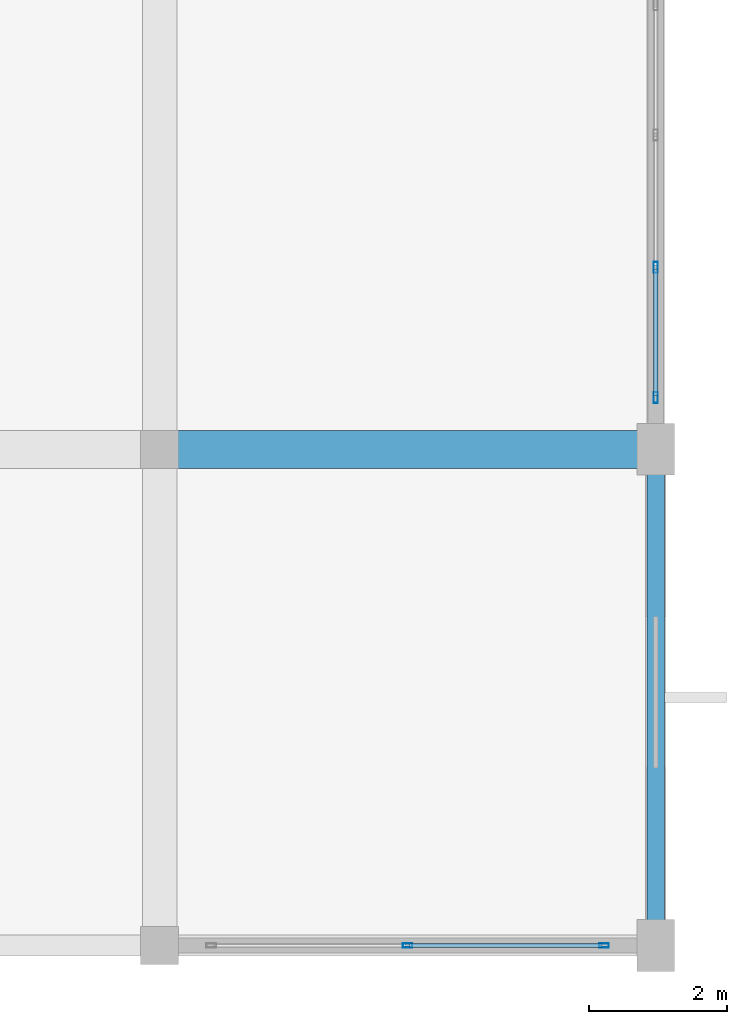
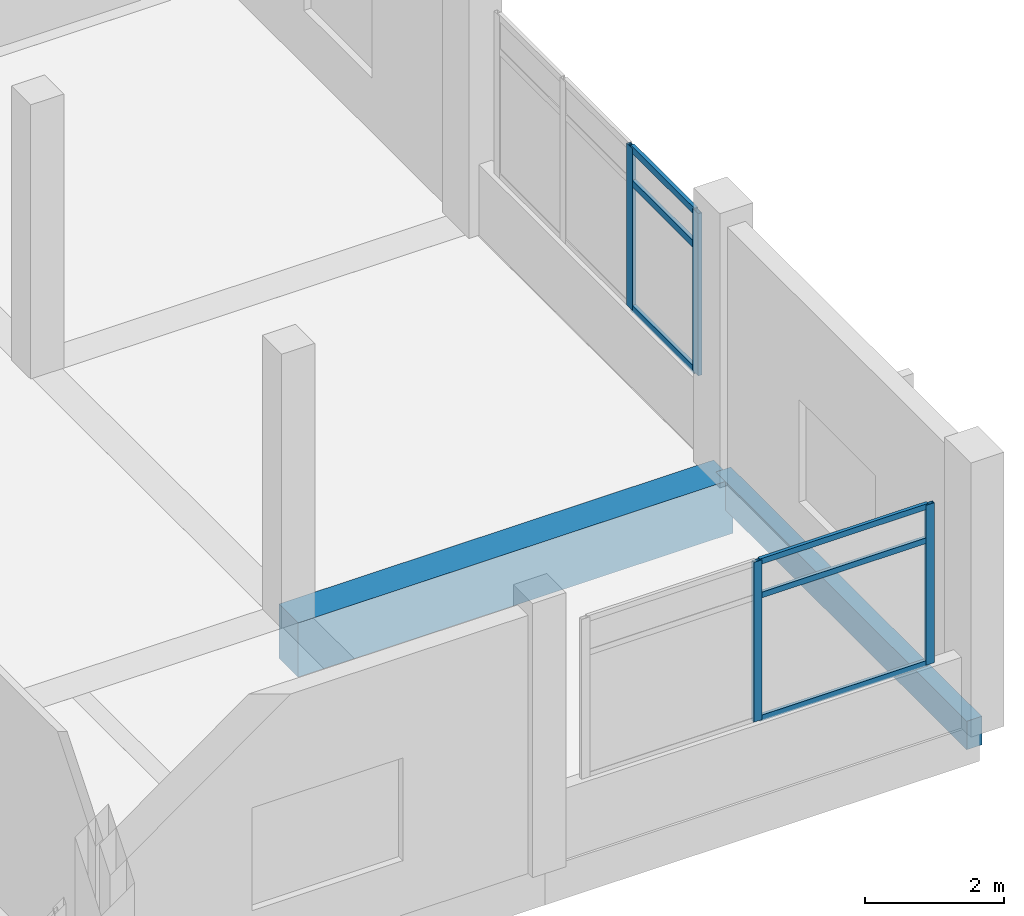
# One storey, part 110 of 181: 10 members, 2 beams, 2 elements without a shape of their own.
"""IFC4 building model written with IfcOpenShell, lengths in metres."""

from ifc_helpers import new_model, si_unit, direction, frame, origin, origin_2d, place, context, subcontext, project, spatial, rectangle, hollow_rectangle, extrude, material, layer, layer_set, material_profile, profile_set, type_object, element, aggregate, save


model = new_model("IFC4")

# Units and contexts
model_context = context("Model", 3, precision=1e-05, world=origin(), true_north=direction((0.0, 1.0)))
body_context = subcontext(model_context, "Body", "Model", "MODEL_VIEW")
ifc_project = project(units=[si_unit("LENGTHUNIT", "METRE"), si_unit("AREAUNIT", "SQUARE_METRE"), si_unit("VOLUMEUNIT", "CUBIC_METRE"), si_unit("PLANEANGLEUNIT", "RADIAN"), si_unit("MASSUNIT", "GRAM", prefix="KILO")], contexts=[model_context])

# Site, building, storey
site_placement = place(None, origin())
site = spatial("IfcSite", under=ifc_project, at=site_placement, CompositionType="ELEMENT")
building_placement = place(site_placement, origin())
building = spatial("IfcBuilding", under=site, at=building_placement, Name="Seraya Terrace Polytechnic", CompositionType="ELEMENT")
storey_placement = place(building_placement, frame((0.0, 0.0, 4.800048828125)))
storey = spatial("IfcBuildingStorey", under=building, at=storey_placement, Name="L01", CompositionType="ELEMENT", Elevation=4.800048828125)

# Beam
ifc_material_1 = material(Name="Concrete C40/50", Category="concrete")
ifc_material_profile_1 = material_profile(ifc_material_1, rectangle(XDim=0.550048828125, YDim=0.949951171875, at=origin_2d()), Name="RC 550x950")
ifc_profile_set_1 = profile_set([ifc_material_profile_1], Name="Concrete C40/50")
beam_type_1 = type_object("IfcBeamType", Name="BM-03", PredefinedType="BEAM", material=ifc_profile_set_1)
beam_1_placement = place(storey_placement, frame((158.39990234375, 7.199951171875, -0.47509765625), z_axis=(1.0, 0.0, 0.0), x_axis=(0.0, 1.0, 0.0)))
element("IfcBeam", 1, at=beam_1_placement, inside=storey, type_object=beam_type_1, Name="Beam BM-03 L01 X (158.4..165.6, 7.2)", PredefinedType="BEAM", context=body_context, shape_type="SweptSolid", body=[
    extrude(rectangle(XDim=0.550048828125, YDim=0.949951171875, at=origin_2d()), origin(), (0.0, 0.0, 1.0), 7.2001953125),
])

# Curtain wall, members
ifc_material_2 = material(Name="Anodised aluminium EN AW-6063 T6", Category="aluminium")
ifc_layer_1 = layer(ifc_material_2, 0.179931640625, Name="CW-26")
ifc_layer_set_1 = layer_set([ifc_layer_1], Name="Anodised aluminium EN AW-6063 T6")
curtain_wall_type_1 = type_object("IfcCurtainWallType", Name="CW-26", PredefinedType="NOTDEFINED", material=ifc_layer_set_1)
curtain_wall_1_placement = place(storey_placement, origin())
curtain_wall_1 = element("IfcCurtainWall", 2, at=curtain_wall_1_placement, inside=storey, type_object=curtain_wall_type_1, Name="Unitised curtain wall CW-26 (CW-L01-026)", PredefinedType="NOTDEFINED")
ifc_material_profile_2 = material_profile(ifc_material_2, hollow_rectangle(XDim=0.06005859375, YDim=0.159912109375, WallThickness=0.00341796875, at=origin_2d()), Name="RHS 160x60x3.5")
ifc_profile_set_2 = profile_set([ifc_material_profile_2], Name="Anodised aluminium EN AW-6063 T6")
member_type_1 = type_object("IfcMemberType", Name="CWM-02", PredefinedType="MULLION", material=ifc_profile_set_2)
member_1_placement = place(storey_placement, frame((165.60009765625, 9.840087890625, 1.239990234375), z_axis=(0.0, 0.0, 1.0), x_axis=(1.0, 0.0, 0.0)))
member_1 = element("IfcMember", 3, at=member_1_placement, type_object=member_type_1, Name="CW-26 mullion 3", PredefinedType="MULLION", context=body_context, shape_type="SweptSolid", body=[
    extrude(hollow_rectangle(XDim=0.06005859375, YDim=0.159912109375, WallThickness=0.00341796875, at=origin_2d()), origin(), (0.0, 0.0, 1.0), 2.83984375),
])
member_2_placement = place(storey_placement, frame((165.60009765625, 7.949951171875, 1.239990234375), z_axis=(0.0, 0.0, 1.0), x_axis=(1.0, 0.0, 0.0)))
member_2 = element("IfcMember", 4, at=member_2_placement, type_object=member_type_1, Name="CW-26 mullion 4", PredefinedType="MULLION", context=body_context, shape_type="SweptSolid", body=[
    extrude(hollow_rectangle(XDim=0.06005859375, YDim=0.159912109375, WallThickness=0.00341796875, at=origin_2d()), origin(), (0.0, 0.0, 1.0), 2.83984375),
])

ifc_layer_2 = layer(ifc_material_2, 0.179931640625, Name="CW-27")
ifc_layer_set_2 = layer_set([ifc_layer_2], Name="Anodised aluminium EN AW-6063 T6")
curtain_wall_type_2 = type_object("IfcCurtainWallType", Name="CW-27", PredefinedType="NOTDEFINED", material=ifc_layer_set_2)
curtain_wall_2_placement = place(storey_placement, origin())
curtain_wall_2 = element("IfcCurtainWall", 5, at=curtain_wall_2_placement, inside=storey, type_object=curtain_wall_type_2, Name="Unitised curtain wall CW-27 (CW-L01-027)", PredefinedType="NOTDEFINED")
ifc_material_profile_3 = material_profile(ifc_material_2, hollow_rectangle(XDim=0.06005859375, YDim=0.139892578125, WallThickness=0.00341796875, at=origin_2d()), Name="RHS 140x60x3.5")
ifc_profile_set_3 = profile_set([ifc_material_profile_3], Name="Anodised aluminium EN AW-6063 T6")
member_type_2 = type_object("IfcMemberType", Name="CWM-03", PredefinedType="MULLION", material=ifc_profile_set_3)
member_3_placement = place(storey_placement, frame((164.85009765625, 0.0, 1.239990234375), z_axis=(0.0, 0.0, 1.0), x_axis=(0.0, -1.0, 0.0)))
member_3 = element("IfcMember", 6, at=member_3_placement, type_object=member_type_2, Name="CW-27 mullion 1", PredefinedType="MULLION", context=body_context, shape_type="SweptSolid", body=[
    extrude(hollow_rectangle(XDim=0.06005859375, YDim=0.139892578125, WallThickness=0.00341796875, at=origin_2d()), origin(), (0.0, 0.0, 1.0), 2.800048828125),
])
member_4_placement = place(storey_placement, frame((162.0, 0.0, 1.239990234375), z_axis=(0.0, 0.0, 1.0), x_axis=(0.0, -1.0, 0.0)))
member_4 = element("IfcMember", 7, at=member_4_placement, type_object=member_type_2, Name="CW-27 mullion 2", PredefinedType="MULLION", context=body_context, shape_type="SweptSolid", body=[
    extrude(hollow_rectangle(XDim=0.06005859375, YDim=0.139892578125, WallThickness=0.00341796875, at=origin_2d()), origin(), (0.0, 0.0, 1.0), 2.800048828125),
])

# Member
ifc_material_profile_4 = material_profile(ifc_material_2, hollow_rectangle(XDim=0.06005859375, YDim=0.1201171875, WallThickness=0.003173828125, at=origin_2d()), Name="RHS 120x60x3.2")
ifc_profile_set_4 = profile_set([ifc_material_profile_4], Name="Anodised aluminium EN AW-6063 T6")
member_type_3 = type_object("IfcMemberType", Name="CWT-02", PredefinedType="USERDEFINED", material=ifc_profile_set_4)
member_5_placement = place(storey_placement, frame((165.60009765625, 9.81005859375, 1.27001953125), z_axis=(0.0, -1.0, 0.0), x_axis=(1.0, 0.0, 0.0)))
member_5 = element("IfcMember", 8, at=member_5_placement, type_object=member_type_3, Name="CW-26 transom 3.1", ObjectType="TRANSOM", PredefinedType="USERDEFINED", context=body_context, shape_type="SweptSolid", body=[
    extrude(hollow_rectangle(XDim=0.06005859375, YDim=0.1201171875, WallThickness=0.003173828125, at=origin_2d()), origin(), (0.0, 0.0, 1.0), 1.830078125),
])

member_6_placement = place(storey_placement, frame((165.60009765625, 9.81005859375, 3.4599609375), z_axis=(0.0, -1.0, 0.0), x_axis=(1.0, 0.0, 0.0)))
member_6 = element("IfcMember", 9, at=member_6_placement, type_object=member_type_3, Name="CW-26 transom 3.2", ObjectType="TRANSOM", PredefinedType="USERDEFINED", context=body_context, shape_type="SweptSolid", body=[
    extrude(hollow_rectangle(XDim=0.06005859375, YDim=0.1201171875, WallThickness=0.003173828125, at=origin_2d()), origin(), (0.0, 0.0, 1.0), 1.830078125),
])

member_7_placement = place(storey_placement, frame((165.60009765625, 9.81005859375, 4.050048828125), z_axis=(0.0, -1.0, 0.0), x_axis=(1.0, 0.0, 0.0)))
member_7 = element("IfcMember", 10, at=member_7_placement, type_object=member_type_3, Name="CW-26 transom 3.3", ObjectType="TRANSOM", PredefinedType="USERDEFINED", context=body_context, shape_type="SweptSolid", body=[
    extrude(hollow_rectangle(XDim=0.06005859375, YDim=0.1201171875, WallThickness=0.003173828125, at=origin_2d()), origin(), (0.0, 0.0, 1.0), 1.830078125),
])

aggregate(curtain_wall_1, [member_1, member_2, member_5, member_6, member_7])

ifc_material_profile_5 = material_profile(ifc_material_2, hollow_rectangle(XDim=0.054931640625, YDim=0.10009765625, WallThickness=0.0029296875, at=origin_2d()), Name="RHS 100x55x3.0")
ifc_profile_set_5 = profile_set([ifc_material_profile_5], Name="Anodised aluminium EN AW-6063 T6")
member_type_4 = type_object("IfcMemberType", Name="CWT-03", PredefinedType="USERDEFINED", material=ifc_profile_set_5)
member_8_placement = place(storey_placement, frame((164.820068359375, 0.0, 1.267333984375), z_axis=(-1.0, 0.0, 0.0), x_axis=(0.0, -1.0, 0.0)))
member_8 = element("IfcMember", 11, at=member_8_placement, type_object=member_type_4, Name="CW-27 transom 1.1", ObjectType="TRANSOM", PredefinedType="USERDEFINED", context=body_context, shape_type="SweptSolid", body=[
    extrude(hollow_rectangle(XDim=0.054931640625, YDim=0.10009765625, WallThickness=0.0029296875, at=origin_2d()), origin(), (0.0, 0.0, 1.0), 2.7900390625),
])

member_9_placement = place(storey_placement, frame((164.820068359375, 0.0, 3.419921875), z_axis=(-1.0, 0.0, 0.0), x_axis=(0.0, -1.0, 0.0)))
member_9 = element("IfcMember", 12, at=member_9_placement, type_object=member_type_4, Name="CW-27 transom 1.2", ObjectType="TRANSOM", PredefinedType="USERDEFINED", context=body_context, shape_type="SweptSolid", body=[
    extrude(hollow_rectangle(XDim=0.054931640625, YDim=0.10009765625, WallThickness=0.0029296875, at=origin_2d()), origin(), (0.0, 0.0, 1.0), 2.7900390625),
])

member_10_placement = place(storey_placement, frame((164.820068359375, 0.0, 4.012451171875), z_axis=(-1.0, 0.0, 0.0), x_axis=(0.0, -1.0, 0.0)))
member_10 = element("IfcMember", 13, at=member_10_placement, type_object=member_type_4, Name="CW-27 transom 1.3", ObjectType="TRANSOM", PredefinedType="USERDEFINED", context=body_context, shape_type="SweptSolid", body=[
    extrude(hollow_rectangle(XDim=0.054931640625, YDim=0.10009765625, WallThickness=0.0029296875, at=origin_2d()), origin(), (0.0, 0.0, 1.0), 2.7900390625),
])

aggregate(curtain_wall_2, [member_3, member_4, member_8, member_9, member_10])

# Beam
ifc_material_profile_6 = material_profile(ifc_material_1, rectangle(XDim=0.25, YDim=0.5, at=origin_2d()), Name="RC 250x500")
ifc_profile_set_6 = profile_set([ifc_material_profile_6], Name="Concrete C40/50")
beam_type_2 = type_object("IfcBeamType", Name="SP-03", PredefinedType="SPANDREL", material=ifc_profile_set_6)
beam_2_placement = place(storey_placement, frame((165.60009765625, 0.0, -0.25), z_axis=(0.0, 1.0, 0.0), x_axis=(-1.0, 0.0, 0.0)))
element("IfcBeam", 14, at=beam_2_placement, inside=storey, type_object=beam_type_2, Name="Beam SP-03 L01 Y (165.6, 0.0..7.2)", PredefinedType="SPANDREL", context=body_context, shape_type="SweptSolid", body=[
    extrude(rectangle(XDim=0.25, YDim=0.5, at=origin_2d()), origin(), (0.0, 0.0, 1.0), 7.199951171875),
])

save(model, "model.ifc")
